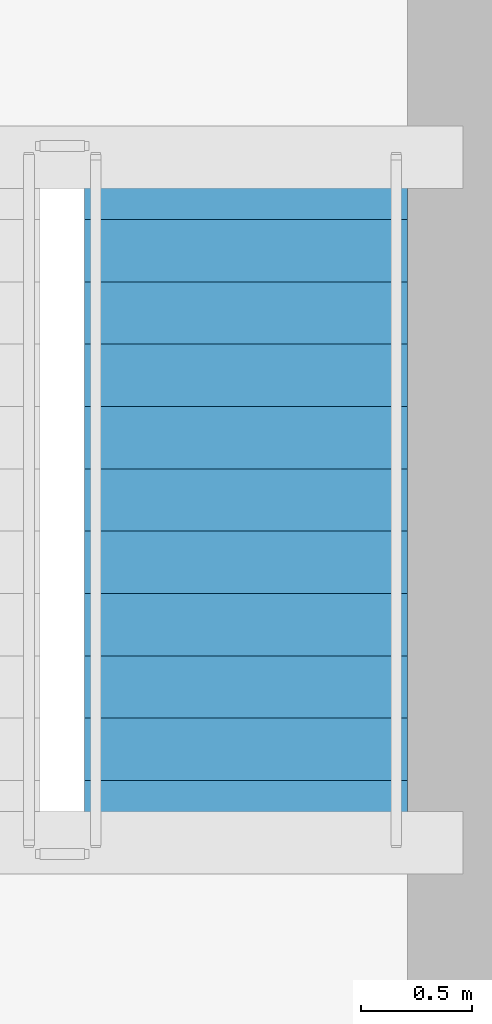
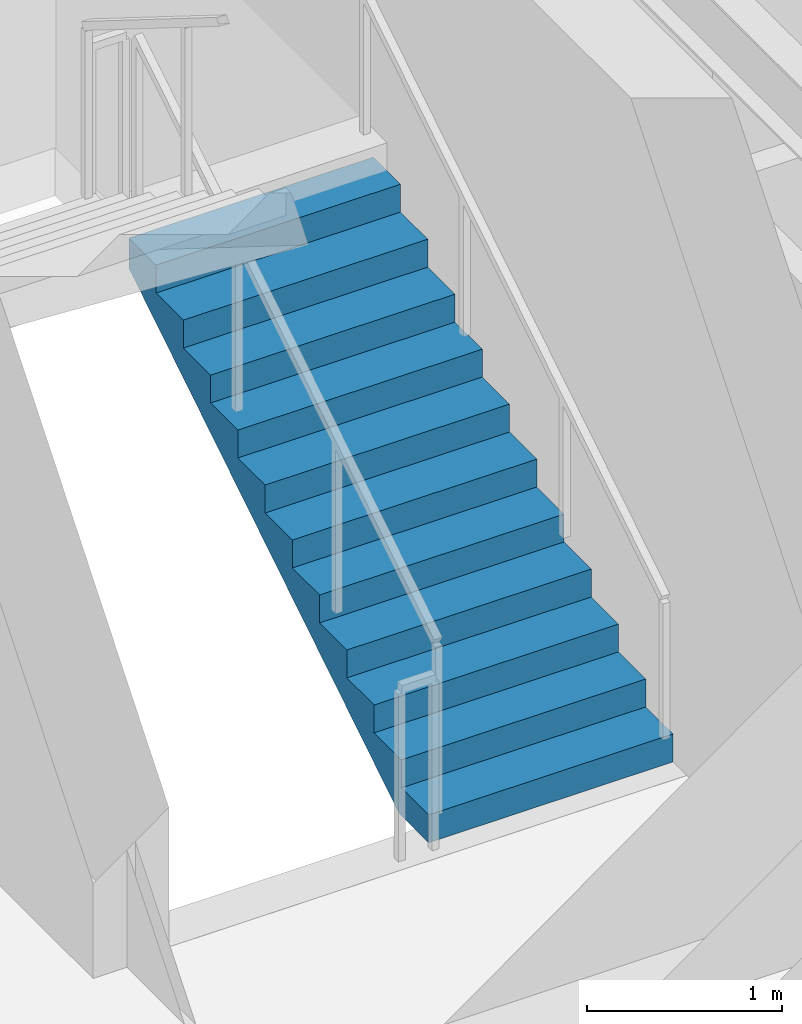
# One storey, part 12 of 15: 1 stair flight, 1 element without a shape of its own.
"""IFC4 building model written with IfcOpenShell, lengths in metres."""

import ifcopenshell
import ifcopenshell.guid

model = None  # the IFC model being written
_history = None  # IfcOwnerHistory: only IFC2X3 demands one
_inside = {}  # id of a spatial element -> (the spatial element, [elements in it])
_under = {}  # id of a project, library or spatial element -> (it, [spatial elements below it])
_declared = {}  # id of a project -> (the project, [libraries it declares])
_typed = {}  # id of a type object -> (the type object, [elements of that type])
_made_of = {}  # id of a material, layer set ... -> (it, [elements and type objects made of it])


def new_model(schema):
    """Start an empty IFC model of exactly this schema.

    Asked for "IFC4X3", IfcOpenShell would pick the latest addendum, in which some entities
    have other attributes; the version numbers below select the first issue.
    IFC2X3 requires an IfcOwnerHistory on every rooted entity: one is made here for all.
    """
    global model, _history
    if schema == "IFC4X3":
        model = ifcopenshell.file(schema_version=(4, 3, 0, 0))
    else:
        model = ifcopenshell.file(schema=schema)
    _inside.clear()
    _under.clear()
    _declared.clear()
    _typed.clear()
    _made_of.clear()
    _history = None
    if model.schema == "IFC2X3":
        org = make("IfcOrganization", Name="unknown")
        user = make(
            "IfcPersonAndOrganization",
            ThePerson=make("IfcPerson", FamilyName="unknown"),
            TheOrganization=org,
        )
        app = make(
            "IfcApplication",
            ApplicationDeveloper=org,
            Version="unknown",
            ApplicationFullName="unknown",
            ApplicationIdentifier="unknown",
        )
        _history = make(
            "IfcOwnerHistory",
            OwningUser=user,
            OwningApplication=app,
            ChangeAction="ADDED",
            CreationDate=0,
        )
    return model


def make(cls, **values):
    """One entity of the class cls with the attributes given. An attribute that is None is left unset."""
    return model.create_entity(
        cls, **{name: value for name, value in values.items() if value is not None}
    )


def rooted(cls, **values):
    """An entity with a GlobalId (a new one), such as an element, a storey or a relation."""
    return make(cls, GlobalId=ifcopenshell.guid.new(), OwnerHistory=_history, **values)


def si_unit(unit_type, name, prefix=None):
    """IfcSIUnit, for example si_unit("LENGTHUNIT", "METRE", prefix="MILLI")."""
    return make("IfcSIUnit", UnitType=unit_type, Prefix=prefix, Name=name)


def assignment(units):
    """IfcUnitAssignment: the units of a project."""
    return None if units is None else make("IfcUnitAssignment", Units=units)


def point(xyz):
    """IfcCartesianPoint."""
    return None if xyz is None else make("IfcCartesianPoint", Coordinates=xyz)


def direction(xyz):
    """IfcDirection."""
    return None if xyz is None else make("IfcDirection", DirectionRatios=xyz)


def frame(location, z_axis=None, x_axis=None):
    """IfcAxis2Placement3D, a coordinate frame: its origin and axes. An axis left out is left unset."""
    return make(
        "IfcAxis2Placement3D",
        Location=point(location),
        Axis=direction(z_axis),
        RefDirection=direction(x_axis),
    )


def origin():
    """The frame at (0, 0, 0) with its axes left unset."""
    return frame((0.0, 0.0, 0.0))


def place(relative_to, where):
    """IfcLocalPlacement: puts the frame where relative to a parent placement (None: the world)."""
    return make(
        "IfcLocalPlacement", PlacementRelTo=relative_to, RelativePlacement=where
    )


def context(
    kind, dimensions, precision=None, world=None, true_north=None, identifier=None
):
    """IfcGeometricRepresentationContext, for example the 3D "Model" context."""
    return make(
        "IfcGeometricRepresentationContext",
        ContextIdentifier=identifier,
        ContextType=kind,
        CoordinateSpaceDimension=dimensions,
        Precision=precision,
        WorldCoordinateSystem=world,
        TrueNorth=true_north,
    )


def subcontext(parent, identifier, kind, view, scale=None):
    """IfcGeometricRepresentationSubContext, for example "Body" below "Model"."""
    return make(
        "IfcGeometricRepresentationSubContext",
        ContextIdentifier=identifier,
        ContextType=kind,
        ParentContext=parent,
        TargetScale=scale,
        TargetView=view,
    )


def project(units=None, contexts=None):
    """IfcProject with its units and contexts."""
    return rooted(
        "IfcProject",
        Name="project",
        RepresentationContexts=contexts,
        UnitsInContext=assignment(units),
    )


def spatial(cls, under=None, at=None, **own):
    """A site, building, storey or space (cls), placed at a placement, below another one or the project."""
    s = rooted(cls, ObjectPlacement=at, **own)
    if under is not None:
        _under.setdefault(under.id(), (under, []))[1].append(s)
    return s


def polyline(points):
    """IfcPolyline through the points."""
    return make("IfcPolyline", Points=[point(p) for p in points])


def outline(outer, holes=None, kind="AREA"):
    """IfcArbitraryClosedProfileDef: a profile drawn as a closed curve; with holes, ...WithVoids."""
    if holes is None:
        return make("IfcArbitraryClosedProfileDef", ProfileType=kind, OuterCurve=outer)
    return make(
        "IfcArbitraryProfileDefWithVoids",
        ProfileType=kind,
        OuterCurve=outer,
        InnerCurves=holes,
    )


def extrude(swept, where, along, depth):
    """IfcExtrudedAreaSolid: the profile swept, set in the frame where, extruded along a direction by depth."""
    return make(
        "IfcExtrudedAreaSolid",
        SweptArea=swept,
        Position=where,
        ExtrudedDirection=direction(along),
        Depth=depth,
    )


def shape(context_of_items, identifier, shape_type, items):
    """IfcShapeRepresentation: the items that make up one representation, for example the "Body"."""
    return make(
        "IfcShapeRepresentation",
        ContextOfItems=context_of_items,
        RepresentationIdentifier=identifier,
        RepresentationType=shape_type,
        Items=items,
    )


def material(Name=None, Category=None):
    """IfcMaterial."""
    return make("IfcMaterial", Name=Name, Category=Category)


def made_of(thing, what):
    """Note that an element or type object is made of a material, layer set ...; save() writes the relation."""
    if what is not None:
        _made_of.setdefault(what.id(), (what, []))[1].append(thing)
    return thing


def type_object(cls, material=None, **own):
    """A type object (cls), such as IfcWallType, which elements share."""
    return made_of(rooted(cls, **own), material)


def element(
    cls,
    number,
    at=None,
    inside=None,
    cuts=None,
    type_object=None,
    material=None,
    context=None,
    identifier="Body",
    shape_type=None,
    held_by="IfcProductDefinitionShape",
    body=None,
    shapes=None,
    **own,
):
    """One element of the class cls, such as IfcWall. Its Tag is "e" and its number.

    at: its placement. inside: the storey or other place that contains it. cuts: it is an
    opening in that element (IfcRelVoidsElement). A single representation is given by context,
    identifier, shape_type and body (its items); several are given by shapes. held_by: the class
    of the entity that holds the representations. save() writes the other relations.
    """
    e = rooted(cls, Tag="e%d" % number, ObjectPlacement=at, **own)
    if body is not None:
        shapes = [shape(context, identifier, shape_type, body)]
    if shapes is not None:
        e.Representation = make(held_by, Representations=shapes)
    if inside is not None:
        _inside.setdefault(inside.id(), (inside, []))[1].append(e)
    if cuts is not None:
        rooted(
            "IfcRelVoidsElement", RelatingBuildingElement=cuts, RelatedOpeningElement=e
        )
    if type_object is not None:
        _typed.setdefault(type_object.id(), (type_object, []))[1].append(e)
    return made_of(e, material)


def aggregate(whole, parts):
    """IfcRelAggregates: a whole, such as a stair, and the parts it consists of."""
    return rooted("IfcRelAggregates", RelatingObject=whole, RelatedObjects=parts)


def save(model, path):
    """Write the relations noted so far, then the file.

    IfcRelAggregates (storeys below a building ...), IfcRelContainedInSpatialStructure (elements
    in a storey), IfcRelDefinesByType, IfcRelAssociatesMaterial and IfcRelDeclares: one each for
    every whole, place, type object, material and project.
    """
    for whole, parts in _under.values():
        aggregate(whole, parts)
    for where, things in _inside.values():
        rooted(
            "IfcRelContainedInSpatialStructure",
            RelatedElements=things,
            RelatingStructure=where,
        )
    for kind, things in _typed.values():
        rooted("IfcRelDefinesByType", RelatedObjects=things, RelatingType=kind)
    for what, things in _made_of.values():
        rooted("IfcRelAssociatesMaterial", RelatedObjects=things, RelatingMaterial=what)
    for by, libraries in _declared.values():
        rooted("IfcRelDeclares", RelatingContext=by, RelatedDefinitions=libraries)
    model.write(path)


model = new_model("IFC4")

# Units and contexts
model_context = context("Model", 3, precision=1e-05, world=origin(), true_north=direction((0.0, 1.0)))
body_context = subcontext(model_context, "Body", "Model", "MODEL_VIEW")
ifc_project = project(units=[si_unit("LENGTHUNIT", "METRE"), si_unit("AREAUNIT", "SQUARE_METRE"), si_unit("VOLUMEUNIT", "CUBIC_METRE"), si_unit("PLANEANGLEUNIT", "RADIAN"), si_unit("MASSUNIT", "GRAM", prefix="KILO")], contexts=[model_context])

# Site, building, storey
site_placement = place(None, origin())
site = spatial("IfcSite", under=ifc_project, at=site_placement, CompositionType="ELEMENT")
building_placement = place(site_placement, origin())
building = spatial("IfcBuilding", under=site, at=building_placement, Name="Korentha Bioscience Tower", CompositionType="ELEMENT")
storey_placement = place(building_placement, frame((0.0, 0.0, 34.199951171875)))
storey = spatial("IfcBuildingStorey", under=building, at=storey_placement, Name="L07", CompositionType="ELEMENT", Elevation=34.199951171875)

# Stair, stair flight
ifc_material = material(Name="Precast Concrete C50", Category="concrete")
stair_type = type_object("IfcStairType", Name="Core Exit Dog-Leg Stair 1450", PredefinedType="HALF_TURN_STAIR", material=ifc_material)
stair_placement = place(storey_placement, origin())
stair = element("IfcStair", 1, at=stair_placement, inside=storey, type_object=stair_type, Name="L07 Tower Central Pressurized Exit Stair ST-3", PredefinedType="HALF_TURN_STAIR")
stair_flight_type = type_object("IfcStairFlightType", Name="Core Exit Dog-Leg Stair 1450 Flight", PredefinedType="STRAIGHT", material=ifc_material)
stair_flight_placement = place(storey_placement, frame((35.925048828125, 24.550048828125, 0.0), z_axis=(0.0, 0.0, 1.0), x_axis=(0.0, 1.0, 0.0)))
stair_flight = element("IfcStairFlight", 2, at=stair_flight_placement, type_object=stair_flight_type, Name="ST-3 flight 1", NumberOfRisers=12, NumberOfTreads=11, PredefinedType="STRAIGHT", RiserHeight=0.175, TreadLength=0.28, context=body_context, shape_type="SweptSolid", body=[
    extrude(outline(polyline([(0.0, 0.0), (0.0, 0.175048828125), (0.280029296875, 0.175048828125), (0.280029296875, 0.35009765625), (0.56005859375, 0.35009765625), (0.56005859375, 0.52490234375), (0.840087890625, 0.52490234375), (0.840087890625, 0.699951171875), (1.1201171875, 0.699951171875), (1.1201171875, 0.875), (1.39990234375, 0.875), (1.39990234375, 1.050048828125), (1.679931640625, 1.050048828125), (1.679931640625, 1.22509765625), (1.9599609375, 1.22509765625), (1.9599609375, 1.39990234375), (2.239990234375, 1.39990234375), (2.239990234375, 1.574951171875), (2.52001953125, 1.574951171875), (2.52001953125, 1.75), (2.800048828125, 1.75), (2.800048828125, 1.925048828125), (3.080078125, 1.925048828125), (3.080078125, 2.10009765625), (3.080078125, 1.736328125), (0.3017578125, 0.0), (0.0, 0.0)])), frame((0.0, 0.72509765625, 0.0), z_axis=(0.0, -1.0, 0.0), x_axis=(1.0, 0.0, 0.0)), (0.0, 0.0, 1.0), 1.449951171875),
])
aggregate(stair, [stair_flight])

save(model, "model.ifc")
